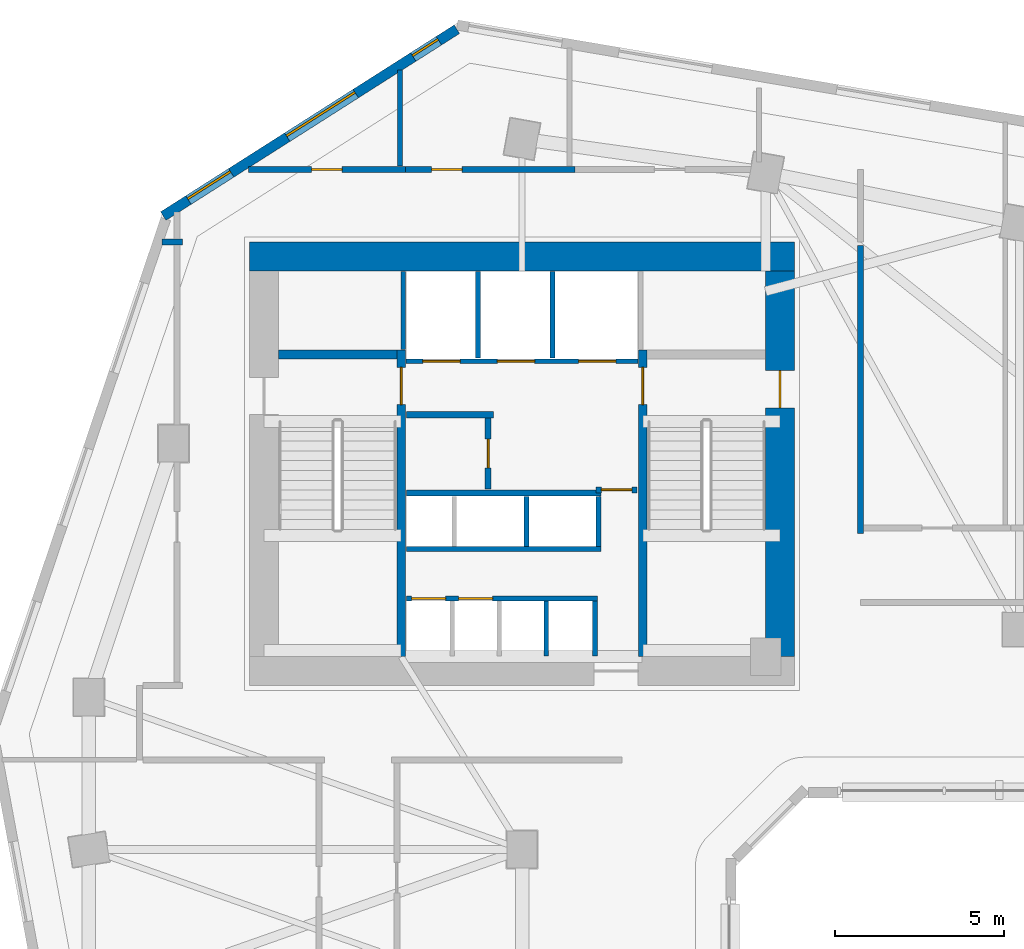
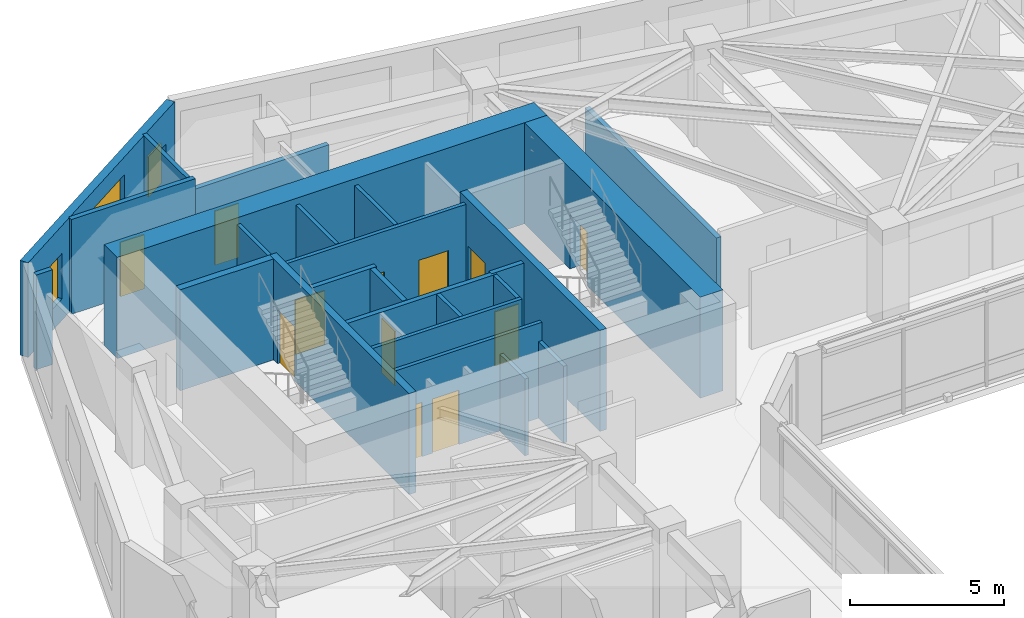
# One storey, part 6 of 11: 25 walls, 12 doors, 3 windows, 15 openings.
"""IFC4 building model written with IfcOpenShell, lengths in metres."""

from ifc_helpers import new_model, si_unit, direction, frame, frame_2d, origin, place, context, subcontext, project, spatial, rectangle, extrude, source, transform, mapped, material, layer, layer_set, type_object, element, fill, save


model = new_model("IFC4")

# Units and contexts
model_context = context("Model", 3, precision=1e-05, world=origin(), true_north=direction((0.0, 1.0)))
body_context = subcontext(model_context, "Body", "Model", "MODEL_VIEW")
ifc_project = project(units=[si_unit("LENGTHUNIT", "METRE"), si_unit("AREAUNIT", "SQUARE_METRE"), si_unit("VOLUMEUNIT", "CUBIC_METRE"), si_unit("PLANEANGLEUNIT", "RADIAN"), si_unit("MASSUNIT", "GRAM", prefix="KILO")], contexts=[model_context])

# Site, building, storey
site_placement = place(None, origin())
site = spatial("IfcSite", under=ifc_project, at=site_placement, CompositionType="ELEMENT")
building_placement = place(site_placement, origin())
building = spatial("IfcBuilding", under=site, at=building_placement, Name="Calvemar Wedge Station Tower", CompositionType="ELEMENT")
storey_placement = place(building_placement, frame((0.0, 0.0, 75.0)))
storey = spatial("IfcBuildingStorey", under=building, at=storey_placement, Name="L18", CompositionType="ELEMENT", Elevation=75.0)

# Wall, opening, door
ifc_material_1 = material(Name="Concrete C50", Category="concrete")
ifc_layer_1 = layer(ifc_material_1, 0.260009765625)
ifc_layer_set_1 = layer_set([ifc_layer_1], Name="Concrete C50")
wall_type_1 = type_object("IfcWallType", Name="SW-CORE-260", PredefinedType="SHEAR", material=ifc_layer_set_1)
wall_1_placement = place(storey_placement, frame((20.22998046875, 34.199951171875, 0.0), z_axis=(0.0, 0.0, 1.0), x_axis=(0.0, 1.0, 0.0)))
wall_1 = element("IfcWall", 1, at=wall_1_placement, inside=storey, type_object=wall_type_1, Name="Storey L18 Core Shear Wall SPINE-W", PredefinedType="SHEAR", context=body_context, shape_type="SweptSolid", body=[
    extrude(rectangle(XDim=9.06005859375, YDim=0.260009765625, at=frame_2d((4.530029296875, 0.0))), origin(), (0.0, 0.0, 1.0), 4.0),
])
shared_shape_1 = source(origin(), body_context, "Body", "SweptSolid", [
    extrude(rectangle(XDim=1.10009765625, YDim=2.14990234375, at=frame_2d((0.550048828125, 1.074951171875))), frame((0.0, 0.14013671875, 0.0), z_axis=(0.0, -1.0, 0.0), x_axis=(1.0, 0.0, 0.0)), (0.0, 0.0, 1.0), 0.280029296875),
])
opening_1_placement = place(wall_1_placement, frame((7.449951171875, 0.0, 0.0)))
opening_1 = element("IfcOpeningElement", 2, at=opening_1_placement, cuts=wall_1, Name="Opening FD-90", PredefinedType="OPENING", context=body_context, shape_type="MappedRepresentation", body=[
    mapped(shared_shape_1, transform((0.0, 0.0, 0.0), scale=1.0)),
])
ifc_material_2 = material(Name="Galvanized fire-rated steel door leaf P-90", Category="steel")
door_type_1 = type_object("IfcDoorType", Name="DR-FD90-1100", OperationType="NOTDEFINED", PredefinedType="DOOR", material=ifc_material_2)
shared_shape_2 = source(origin(), body_context, "Body", "SweptSolid", [
    extrude(rectangle(XDim=1.10009765625, YDim=2.14990234375, at=frame_2d((0.550048828125, 1.074951171875))), frame((0.0, 0.02490234375, 0.0), z_axis=(0.0, -1.0, 0.0), x_axis=(1.0, 0.0, 0.0)), (0.0, 0.0, 1.0), 0.050048828125),
])
door_1_placement = place(opening_1_placement, origin())
door_1 = element("IfcDoor", 3, at=door_1_placement, inside=storey, type_object=door_type_1, Name="L18 FF Lobby to Stair ST-C1 Door", OperationType="SINGLE_SWING_RIGHT", OverallHeight=2.14990234375, OverallWidth=1.10009765625, PredefinedType="DOOR", context=body_context, shape_type="MappedRepresentation", body=[
    mapped(shared_shape_2, transform((0.0, 0.0, 0.0), scale=1.0)),
])
fill(opening_1, door_1)

wall_2_placement = place(storey_placement, frame((27.3701171875, 34.199951171875, 0.0), z_axis=(0.0, 0.0, 1.0), x_axis=(0.0, 1.0, 0.0)))
wall_2 = element("IfcWall", 4, at=wall_2_placement, inside=storey, type_object=wall_type_1, Name="Storey L18 Core Shear Wall SPINE-E", PredefinedType="SHEAR", context=body_context, shape_type="SweptSolid", body=[
    extrude(rectangle(XDim=9.06005859375, YDim=0.260009765625, at=frame_2d((4.530029296875, 0.0))), origin(), (0.0, 0.0, 1.0), 4.0),
])
opening_2_placement = place(wall_2_placement, frame((7.449951171875, 0.0, 0.0)))
opening_2 = element("IfcOpeningElement", 5, at=opening_2_placement, cuts=wall_2, Name="Opening FD-90", PredefinedType="OPENING", context=body_context, shape_type="MappedRepresentation", body=[
    mapped(shared_shape_1, transform((0.0, 0.0, 0.0), scale=1.0)),
])
door_2_placement = place(opening_2_placement, origin())
door_2 = element("IfcDoor", 6, at=door_2_placement, inside=storey, type_object=door_type_1, Name="L18 FF Lobby to Stair ST-C2 Door", OperationType="SINGLE_SWING_LEFT", OverallHeight=2.14990234375, OverallWidth=1.10009765625, PredefinedType="DOOR", context=body_context, shape_type="MappedRepresentation", body=[
    mapped(shared_shape_2, transform((0.0, 0.0, 0.0), scale=1.0)),
])
fill(opening_2, door_2)

# Walls
wall_3_placement = place(storey_placement, frame((16.60009765625, 43.1298828125, 0.0), z_axis=(0.0, 0.0, 1.0), x_axis=(1.0, 0.0, 0.0)))
element("IfcWall", 7, at=wall_3_placement, inside=storey, type_object=wall_type_1, Name="Storey L18 Core Shear Wall STC1-N", PredefinedType="SHEAR", context=body_context, shape_type="SweptSolid", body=[
    extrude(rectangle(XDim=3.5, YDim=0.260009765625, at=frame_2d((1.75, 0.0))), origin(), (0.0, 0.0, 1.0), 4.0),
])
ifc_material_3 = material(Name="Concrete C80", Category="concrete")
ifc_layer_2 = layer(ifc_material_3, 0.85009765625)
ifc_layer_set_2 = layer_set([ifc_layer_2], Name="Concrete C80")
wall_type_2 = type_object("IfcWallType", Name="SW-CORE-850", PredefinedType="SHEAR", material=ifc_layer_set_2)
wall_4_placement = place(storey_placement, frame((15.75, 46.02490234375, 0.0), z_axis=(0.0, 0.0, 1.0), x_axis=(1.0, 0.0, 0.0)))
element("IfcWall", 8, at=wall_4_placement, inside=storey, type_object=wall_type_2, Name="Storey L18 Core Shear Wall N", PredefinedType="SHEAR", context=body_context, shape_type="SweptSolid", body=[
    extrude(rectangle(XDim=16.10009765625, YDim=0.85009765625, at=frame_2d((8.050048828125, 0.0))), origin(), (0.0, 0.0, 1.0), 4.0),
])

# Wall, opening, door
wall_5_placement = place(storey_placement, frame((31.425048828125, 34.199951171875, 0.0), z_axis=(0.0, 0.0, 1.0), x_axis=(0.0, 1.0, 0.0)))
wall_5 = element("IfcWall", 9, at=wall_5_placement, inside=storey, type_object=wall_type_2, Name="Storey L18 Core Shear Wall E", PredefinedType="SHEAR", context=body_context, shape_type="SweptSolid", body=[
    extrude(rectangle(XDim=11.400146484375, YDim=0.85009765625, at=frame_2d((5.7001953125, 0.0))), origin(), (0.0, 0.0, 1.0), 4.0),
])
shared_shape_3 = source(origin(), body_context, "Body", "SweptSolid", [
    extrude(rectangle(XDim=1.10009765625, YDim=2.14990234375, at=frame_2d((0.550048828125, 1.074951171875))), frame((0.0, 0.43505859375, 0.0), z_axis=(0.0, -1.0, 0.0), x_axis=(1.0, 0.0, 0.0)), (0.0, 0.0, 1.0), 0.8701171875),
])
opening_3_placement = place(wall_5_placement, frame((7.35009765625, 0.0, 0.0)))
opening_3 = element("IfcOpeningElement", 10, at=opening_3_placement, cuts=wall_5, Name="Opening FD-90", PredefinedType="OPENING", context=body_context, shape_type="MappedRepresentation", body=[
    mapped(shared_shape_3, transform((0.0, 0.0, 0.0), scale=1.0)),
])
door_3_placement = place(opening_3_placement, origin())
door_3 = element("IfcDoor", 11, at=door_3_placement, inside=storey, type_object=door_type_1, Name="L18 East Corridor to Exit Stair ST-C2 Door", OperationType="SINGLE_SWING_LEFT", OverallHeight=2.14990234375, OverallWidth=1.10009765625, PredefinedType="DOOR", context=body_context, shape_type="MappedRepresentation", body=[
    mapped(shared_shape_2, transform((0.0, 0.0, 0.0), scale=1.0)),
])
fill(opening_3, door_3)

# Wall
ifc_material_4 = material(Name="Double-stud fire-rated corridor partition")
ifc_layer_3 = layer(ifc_material_4, 0.179931640625)
ifc_layer_set_3 = layer_set([ifc_layer_3], Name="Double-stud fire-rated corridor partition")
wall_type_3 = type_object("IfcWallType", Name="W-CORR-180", PredefinedType="PARTITIONING", material=ifc_layer_set_3)
wall_6_placement = place(storey_placement, frame((22.9599609375, 41.35009765625, 0.0), z_axis=(0.0, 0.0, 1.0), x_axis=(-1.0, 0.0, 0.0)))
element("IfcWall", 12, at=wall_6_placement, inside=storey, type_object=wall_type_3, Name="Storey L18 Interior Partition WL-L18-001", PredefinedType="PARTITIONING", context=body_context, shape_type="SweptSolid", body=[
    extrude(rectangle(XDim=2.580078125, YDim=0.179931640625, at=frame_2d((1.2900390625, 0.0))), origin(), (0.0, 0.0, 1.0), 3.75),
])

# Wall, opening, door
wall_7_placement = place(storey_placement, frame((22.800048828125, 41.256103515625, 0.0), z_axis=(0.0, 0.0, 1.0), x_axis=(0.0, -1.0, 0.0)))
wall_7 = element("IfcWall", 13, at=wall_7_placement, inside=storey, type_object=wall_type_3, Name="Storey L18 Interior Partition WL-L18-002", PredefinedType="PARTITIONING", context=body_context, shape_type="SweptSolid", body=[
    extrude(rectangle(XDim=2.106201171875, YDim=0.179931640625, at=frame_2d((1.05322265625, 0.0))), origin(), (0.0, 0.0, 1.0), 3.75),
])
shared_shape_4 = source(origin(), body_context, "Body", "SweptSolid", [
    extrude(rectangle(XDim=0.85009765625, YDim=2.14990234375, at=frame_2d((0.425048828125, 1.074951171875))), frame((0.0, 0.10009765625, 0.0), z_axis=(0.0, -1.0, 0.0), x_axis=(1.0, 0.0, 0.0)), (0.0, 0.0, 1.0), 0.199951171875),
])
opening_4_placement = place(wall_7_placement, frame((0.6279296875, 0.0, 0.0)))
opening_4 = element("IfcOpeningElement", 14, at=opening_4_placement, cuts=wall_7, Name="Opening FD-60S", PredefinedType="OPENING", context=body_context, shape_type="MappedRepresentation", body=[
    mapped(shared_shape_4, transform((0.0, 0.0, 0.0), scale=1.0)),
])
ifc_material_5 = material(Name="Fire-rated steel and hardwood service door EI 60", Category="steel")
door_type_2 = type_object("IfcDoorType", Name="DR-CORE-FD60-850", OperationType="NOTDEFINED", PredefinedType="DOOR", material=ifc_material_5)
shared_shape_5 = source(origin(), body_context, "Body", "SweptSolid", [
    extrude(rectangle(XDim=0.85009765625, YDim=2.14990234375, at=frame_2d((0.425048828125, 1.074951171875))), frame((0.0, 0.02490234375, 0.0), z_axis=(0.0, -1.0, 0.0), x_axis=(1.0, 0.0, 0.0)), (0.0, 0.0, 1.0), 0.050048828125),
])
door_4_placement = place(opening_4_placement, origin())
door_4 = element("IfcDoor", 15, at=door_4_placement, inside=storey, type_object=door_type_2, Name="L18 Core Electrical Switch Room Door", OperationType="SINGLE_SWING_RIGHT", OverallHeight=2.14990234375, OverallWidth=0.85009765625, PredefinedType="DOOR", context=body_context, shape_type="MappedRepresentation", body=[
    mapped(shared_shape_5, transform((0.0, 0.0, 0.0), scale=1.0)),
])
fill(opening_4, door_4)

wall_8_placement = place(storey_placement, frame((27.199951171875, 39.1298828125, 0.0), z_axis=(0.0, 0.0, 1.0), x_axis=(-1.0, 0.0, 0.0)))
wall_8 = element("IfcWall", 16, at=wall_8_placement, inside=storey, type_object=wall_type_3, Name="Storey L18 Interior Partition WL-L18-003", PredefinedType="PARTITIONING", context=body_context, shape_type="SweptSolid", body=[
    extrude(rectangle(XDim=1.2099609375, YDim=0.179931640625, at=frame_2d((0.60498046875, 0.0))), origin(), (0.0, 0.0, 1.0), 3.75),
])
shared_shape_6 = source(origin(), body_context, "Body", "SweptSolid", [
    extrude(rectangle(XDim=0.89990234375, YDim=2.14990234375, at=frame_2d((0.449951171875, 1.074951171875))), frame((0.0, 0.10009765625, 0.0), z_axis=(0.0, -1.0, 0.0), x_axis=(1.0, 0.0, 0.0)), (0.0, 0.0, 1.0), 0.199951171875),
])
opening_5_placement = place(wall_8_placement, frame((0.155029296875, 0.0, 0.0)))
opening_5 = element("IfcOpeningElement", 17, at=opening_5_placement, cuts=wall_8, Name="Opening FD-60", PredefinedType="OPENING", context=body_context, shape_type="MappedRepresentation", body=[
    mapped(shared_shape_6, transform((0.0, 0.0, 0.0), scale=1.0)),
])
ifc_material_6 = material(Name="Fire-rated acoustic timber-core entrance door EI 60", Category="wood")
door_type_3 = type_object("IfcDoorType", Name="DR-FD60-900", OperationType="NOTDEFINED", PredefinedType="DOOR", material=ifc_material_6)
shared_shape_7 = source(origin(), body_context, "Body", "SweptSolid", [
    extrude(rectangle(XDim=0.89990234375, YDim=2.14990234375, at=frame_2d((0.449951171875, 1.074951171875))), frame((0.0, 0.02490234375, 0.0), z_axis=(0.0, -1.0, 0.0), x_axis=(1.0, 0.0, 0.0)), (0.0, 0.0, 1.0), 0.050048828125),
])
door_5_placement = place(opening_5_placement, origin())
door_5 = element("IfcDoor", 18, at=door_5_placement, inside=storey, type_object=door_type_3, Name="L18 Core Service Lobby Door", OperationType="SINGLE_SWING_LEFT", OverallHeight=2.14990234375, OverallWidth=0.89990234375, PredefinedType="DOOR", context=body_context, shape_type="MappedRepresentation", body=[
    mapped(shared_shape_7, transform((0.0, 0.0, 0.0), scale=1.0)),
])
fill(opening_5, door_5)

# Wall
wall_9_placement = place(storey_placement, frame((13.760009765625, 46.449951171875, 0.0), z_axis=(0.0, 0.0, 1.0), x_axis=(-1.0, 0.0, 0.0)))
element("IfcWall", 19, at=wall_9_placement, inside=storey, type_object=wall_type_3, Name="Storey L18 Interior Partition WL-L18-009", PredefinedType="PARTITIONING", context=body_context, shape_type="SweptSolid", body=[
    extrude(rectangle(XDim=0.60107421875, YDim=0.179931640625, at=frame_2d((0.300537109375, 0.0))), origin(), (0.0, 0.0, 1.0), 3.75),
])

# Wall, opening, door
wall_10_placement = place(storey_placement, frame((15.709716796875, 48.60009765625, 0.0), z_axis=(0.0, 0.0, 1.0), x_axis=(1.0, 0.0, 0.0)))
wall_10 = element("IfcWall", 20, at=wall_10_placement, inside=storey, type_object=wall_type_3, Name="Storey L18 Interior Partition WL-L18-010", PredefinedType="PARTITIONING", context=body_context, shape_type="SweptSolid", body=[
    extrude(rectangle(XDim=4.650390625, YDim=0.179931640625, at=frame_2d((2.3251953125, 0.0))), origin(), (0.0, 0.0, 1.0), 3.75),
])
opening_6_placement = place(wall_10_placement, frame((1.875, 0.0, 0.0)))
opening_6 = element("IfcOpeningElement", 21, at=opening_6_placement, cuts=wall_10, Name="Opening D-01", PredefinedType="OPENING", context=body_context, shape_type="MappedRepresentation", body=[
    mapped(shared_shape_6, transform((0.0, 0.0, 0.0), scale=1.0)),
])
ifc_material_7 = material(Name="Architectural hardwood acoustic swing door", Category="wood")
door_type_4 = type_object("IfcDoorType", Name="DR-INT-900", OperationType="NOTDEFINED", PredefinedType="DOOR", material=ifc_material_7)
shared_shape_8 = source(origin(), body_context, "Body", "SweptSolid", [
    extrude(rectangle(XDim=0.89990234375, YDim=2.14990234375, at=frame_2d((0.449951171875, 1.074951171875))), frame((0.0, 0.02490234375, 0.0), z_axis=(0.0, -1.0, 0.0), x_axis=(1.0, 0.0, 0.0)), (0.0, 0.0, 1.0), 0.050048828125),
])
door_6_placement = place(opening_6_placement, origin())
door_6 = element("IfcDoor", 22, at=door_6_placement, inside=storey, type_object=door_type_4, Name="L18 Male Toilet Door", OperationType="SINGLE_SWING_LEFT", OverallHeight=2.14990234375, OverallWidth=0.89990234375, PredefinedType="DOOR", context=body_context, shape_type="MappedRepresentation", body=[
    mapped(shared_shape_8, transform((0.0, 0.0, 0.0), scale=1.0)),
])
fill(opening_6, door_6)

wall_11_placement = place(storey_placement, frame((20.362060546875, 48.60009765625, 0.0), z_axis=(0.0, 0.0, 1.0), x_axis=(1.0, 0.0, 0.0)))
wall_11 = element("IfcWall", 23, at=wall_11_placement, inside=storey, type_object=wall_type_3, Name="Storey L18 Interior Partition WL-L18-011", PredefinedType="PARTITIONING", context=body_context, shape_type="SweptSolid", body=[
    extrude(rectangle(XDim=4.998046875, YDim=0.179931640625, at=frame_2d((2.4990234375, 0.0))), origin(), (0.0, 0.0, 1.0), 3.3349609375),
])
opening_7_placement = place(wall_11_placement, frame((0.76806640625, 0.0, 0.0)))
opening_7 = element("IfcOpeningElement", 24, at=opening_7_placement, cuts=wall_11, Name="Opening D-01", PredefinedType="OPENING", context=body_context, shape_type="MappedRepresentation", body=[
    mapped(shared_shape_6, transform((0.0, 0.0, 0.0), scale=1.0)),
])
door_7_placement = place(opening_7_placement, origin())
door_7 = element("IfcDoor", 25, at=door_7_placement, inside=storey, type_object=door_type_4, Name="L18 Pantry Door", OperationType="SINGLE_SWING_RIGHT", OverallHeight=2.14990234375, OverallWidth=0.89990234375, PredefinedType="DOOR", context=body_context, shape_type="MappedRepresentation", body=[
    mapped(shared_shape_8, transform((0.0, 0.0, 0.0), scale=1.0)),
])
fill(opening_7, door_7)

# Wall
wall_12_placement = place(storey_placement, frame((33.800048828125, 46.35595703125, 0.0), z_axis=(0.0, 0.0, 1.0), x_axis=(0.0, -1.0, 0.0)))
element("IfcWall", 26, at=wall_12_placement, inside=storey, type_object=wall_type_3, Name="Storey L18 Interior Partition WL-L18-014", PredefinedType="PARTITIONING", context=body_context, shape_type="SweptSolid", body=[
    extrude(rectangle(XDim=8.515869140625, YDim=0.179931640625, at=frame_2d((4.2578125, 0.0))), origin(), (0.0, 0.0, 1.0), 3.18798828125),
])

# Wall, openings, windows
ifc_material_8 = material(Name="Precast concrete C45", Category="concrete")
ifc_layer_4 = layer(ifc_material_8, 0.300048828125)
ifc_layer_set_4 = layer_set([ifc_layer_4], Name="Precast concrete C45")
wall_type_4 = type_object("IfcWallType", Name="W-EXT-GFRC-300", PredefinedType="SOLIDWALL", material=ifc_layer_set_4)
wall_13_placement = place(storey_placement, frame((21.874755859375, 52.742431640625, 0.0), z_axis=(0.0, 0.0, 1.0), x_axis=(-0.843662465249, -0.536873956092, 0.0)))
wall_13 = element("IfcWall", 27, at=wall_13_placement, inside=storey, type_object=wall_type_4, Name="Storey L18 Bronze GFRC Exterior Wall 11", PredefinedType="SOLIDWALL", context=body_context, shape_type="SweptSolid", body=[
    extrude(rectangle(XDim=10.283935546875, YDim=0.300048828125, at=frame_2d((5.14208984375, 0.0))), origin(), (0.0, 0.0, 1.0), 3.75),
])
shared_shape_9 = source(origin(), body_context, "Body", "SweptSolid", [
    extrude(rectangle(XDim=0.89990234375, YDim=1.60009765625, at=frame_2d((0.449951171875, 0.800048828125))), frame((0.0, 0.16015625, 0.0), z_axis=(0.0, -1.0, 0.0), x_axis=(1.0, 0.0, 0.0)), (0.0, 0.0, 1.0), 0.320068359375),
])
opening_8_placement = place(wall_13_placement, frame((0.62890625, 0.0, 0.85009765625)))
opening_8 = element("IfcOpeningElement", 28, at=opening_8_placement, cuts=wall_13, Name="Opening W7", PredefinedType="OPENING", context=body_context, shape_type="MappedRepresentation", body=[
    mapped(shared_shape_9, transform((0.0, 0.0, 0.0), scale=1.0)),
])
shared_shape_10 = source(origin(), body_context, "Body", "SweptSolid", [
    extrude(rectangle(XDim=2.39990234375, YDim=2.199951171875, at=frame_2d((1.199951171875, 1.10009765625))), frame((0.0, 0.16015625, 0.0), z_axis=(0.0, -1.0, 0.0), x_axis=(1.0, 0.0, 0.0)), (0.0, 0.0, 1.0), 0.320068359375),
])
opening_9_placement = place(wall_13_placement, frame((3.5419921875, 0.0, 0.85009765625)))
opening_9 = element("IfcOpeningElement", 29, at=opening_9_placement, cuts=wall_13, Name="Opening W1", PredefinedType="OPENING", context=body_context, shape_type="MappedRepresentation", body=[
    mapped(shared_shape_10, transform((0.0, 0.0, 0.0), scale=1.0)),
])
shared_shape_11 = source(origin(), body_context, "Body", "SweptSolid", [
    extrude(rectangle(XDim=1.5, YDim=1.800048828125, at=frame_2d((0.75, 0.89990234375))), frame((0.0, 0.16015625, 0.0), z_axis=(0.0, -1.0, 0.0), x_axis=(1.0, 0.0, 0.0)), (0.0, 0.0, 1.0), 0.320068359375),
])
opening_10_placement = place(wall_13_placement, frame((7.903076171875, 0.0, 0.85009765625)))
opening_10 = element("IfcOpeningElement", 30, at=opening_10_placement, cuts=wall_13, Name="Opening W3", PredefinedType="OPENING", context=body_context, shape_type="MappedRepresentation", body=[
    mapped(shared_shape_11, transform((0.0, 0.0, 0.0), scale=1.0)),
])
ifc_material_9 = material(Name="Low-E laminated insulated glass", Category="glass")
window_type_1 = type_object("IfcWindowType", Name="WIN-EXT-1", PartitioningType="SINGLE_PANEL", PredefinedType="WINDOW", material=ifc_material_9)
shared_shape_12 = source(origin(), body_context, "Body", "SweptSolid", [
    extrude(rectangle(XDim=2.39990234375, YDim=2.199951171875, at=frame_2d((1.199951171875, 1.10009765625))), frame((0.0, -0.014892578125, 0.0), z_axis=(0.0, -1.0, 0.0), x_axis=(1.0, 0.0, 0.0)), (0.0, 0.0, 1.0), 0.06005859375),
])
window_1_placement = place(opening_9_placement, origin())
window_1 = element("IfcWindow", 31, at=window_1_placement, inside=storey, type_object=window_type_1, Name="Storey L18 Recessed Window 11.2", OverallHeight=2.199951171875, OverallWidth=2.39990234375, PartitioningType="SINGLE_PANEL", PredefinedType="WINDOW", context=body_context, shape_type="MappedRepresentation", body=[
    mapped(shared_shape_12, transform((0.0, 0.0, 0.0), scale=1.0)),
])
fill(opening_9, window_1)
window_type_2 = type_object("IfcWindowType", Name="WIN-EXT-3", PartitioningType="SINGLE_PANEL", PredefinedType="WINDOW", material=ifc_material_9)
shared_shape_13 = source(origin(), body_context, "Body", "SweptSolid", [
    extrude(rectangle(XDim=1.5, YDim=1.800048828125, at=frame_2d((0.75, 0.89990234375))), frame((0.0, -0.014892578125, 0.0), z_axis=(0.0, -1.0, 0.0), x_axis=(1.0, 0.0, 0.0)), (0.0, 0.0, 1.0), 0.06005859375),
])
window_2_placement = place(opening_10_placement, origin())
window_2 = element("IfcWindow", 32, at=window_2_placement, inside=storey, type_object=window_type_2, Name="Storey L18 Recessed Window 11.3", OverallHeight=1.800048828125, OverallWidth=1.5, PartitioningType="SINGLE_PANEL", PredefinedType="WINDOW", context=body_context, shape_type="MappedRepresentation", body=[
    mapped(shared_shape_13, transform((0.0, 0.0, 0.0), scale=1.0)),
])
fill(opening_10, window_2)
window_type_3 = type_object("IfcWindowType", Name="WIN-EXT-7", PartitioningType="SINGLE_PANEL", PredefinedType="WINDOW", material=ifc_material_9)
shared_shape_14 = source(origin(), body_context, "Body", "SweptSolid", [
    extrude(rectangle(XDim=0.89990234375, YDim=1.60009765625, at=frame_2d((0.449951171875, 0.800048828125))), frame((0.0, -0.014892578125, 0.0), z_axis=(0.0, -1.0, 0.0), x_axis=(1.0, 0.0, 0.0)), (0.0, 0.0, 1.0), 0.06005859375),
])
window_3_placement = place(opening_8_placement, origin())
window_3 = element("IfcWindow", 33, at=window_3_placement, inside=storey, type_object=window_type_3, Name="Storey L18 Recessed Window 11.1", OverallHeight=1.60009765625, OverallWidth=0.89990234375, PartitioningType="SINGLE_PANEL", PredefinedType="WINDOW", context=body_context, shape_type="MappedRepresentation", body=[
    mapped(shared_shape_14, transform((0.0, 0.0, 0.0), scale=1.0)),
])
fill(opening_8, window_3)

# Wall, openings, doors
ifc_material_10 = material(Name="Reinforced concrete blockwork lift shaft wall", Category="masonry")
ifc_layer_5 = layer(ifc_material_10, 0.139892578125)
ifc_layer_set_5 = layer_set([ifc_layer_5], Name="Reinforced concrete blockwork lift shaft wall")
wall_type_5 = type_object("IfcWallType", Name="W-LIFT-160", PredefinedType="SOLIDWALL", material=ifc_layer_set_5)
wall_14_placement = place(storey_placement, frame((20.3701171875, 42.929931640625, 0.0), z_axis=(0.0, 0.0, 1.0), x_axis=(1.0, 0.0, 0.0)))
wall_14 = element("IfcWall", 34, at=wall_14_placement, inside=storey, type_object=wall_type_5, Name="Storey L18 Firefighting and Service Lift Shaft Front Wall", PredefinedType="SOLIDWALL", context=body_context, shape_type="SweptSolid", body=[
    extrude(rectangle(XDim=6.85986328125, YDim=0.139892578125, at=frame_2d((3.429931640625, 0.0))), origin(), (0.0, 0.0, 1.0), 3.75),
])
shared_shape_15 = source(origin(), body_context, "Body", "SweptSolid", [
    extrude(rectangle(XDim=1.10009765625, YDim=2.14990234375, at=frame_2d((0.550048828125, 1.074951171875))), frame((0.0, 0.080078125, 0.0), z_axis=(0.0, -1.0, 0.0), x_axis=(1.0, 0.0, 0.0)), (0.0, 0.0, 1.0), 0.159912109375),
])
opening_11_placement = place(wall_14_placement, frame((0.5, 0.0, 0.0)))
opening_11 = element("IfcOpeningElement", 35, at=opening_11_placement, cuts=wall_14, Name="Opening LD-FF", PredefinedType="OPENING", context=body_context, shape_type="MappedRepresentation", body=[
    mapped(shared_shape_15, transform((0.0, 0.0, 0.0), scale=1.0)),
])
opening_12_placement = place(wall_14_placement, frame((2.699951171875, 0.0, 0.0)))
opening_12 = element("IfcOpeningElement", 36, at=opening_12_placement, cuts=wall_14, Name="Opening LD-FF", PredefinedType="OPENING", context=body_context, shape_type="MappedRepresentation", body=[
    mapped(shared_shape_15, transform((0.0, 0.0, 0.0), scale=1.0)),
])
opening_13_placement = place(wall_14_placement, frame((5.10009765625, 0.0, 0.0)))
opening_13 = element("IfcOpeningElement", 37, at=opening_13_placement, cuts=wall_14, Name="Opening LD-STN", PredefinedType="OPENING", context=body_context, shape_type="MappedRepresentation", body=[
    mapped(shared_shape_15, transform((0.0, 0.0, 0.0), scale=1.0)),
])
ifc_material_11 = material(Name="Stainless steel firefighting lift sliding landing door", Category="steel")
door_type_5 = type_object("IfcDoorType", Name="DR-LD-FF-1100", OperationType="SLIDING_TO_LEFT", PredefinedType="DOOR", material=ifc_material_11)
shared_shape_16 = source(origin(), body_context, "Body", "SweptSolid", [
    extrude(rectangle(XDim=1.10009765625, YDim=2.14990234375, at=frame_2d((0.550048828125, 1.074951171875))), frame((0.0, 0.02490234375, 0.0), z_axis=(0.0, -1.0, 0.0), x_axis=(1.0, 0.0, 0.0)), (0.0, 0.0, 1.0), 0.050048828125),
])
door_8_placement = place(opening_11_placement, origin())
door_8 = element("IfcDoor", 38, at=door_8_placement, inside=storey, type_object=door_type_5, Name="L18 Lift FF-01 Sliding Landing Door", OperationType="SLIDING_TO_LEFT", OverallHeight=2.14990234375, OverallWidth=1.10009765625, PredefinedType="DOOR", context=body_context, shape_type="MappedRepresentation", body=[
    mapped(shared_shape_16, transform((0.0, 0.0, 0.0), scale=1.0)),
])
fill(opening_11, door_8)
door_9_placement = place(opening_12_placement, origin())
door_9 = element("IfcDoor", 39, at=door_9_placement, inside=storey, type_object=door_type_5, Name="L18 Lift FF-02 Sliding Landing Door", OperationType="SLIDING_TO_RIGHT", OverallHeight=2.14990234375, OverallWidth=1.10009765625, PredefinedType="DOOR", context=body_context, shape_type="MappedRepresentation", body=[
    mapped(shared_shape_16, transform((0.0, 0.0, 0.0), scale=1.0)),
])
fill(opening_12, door_9)
ifc_material_12 = material(Name="Stainless steel transit lift sliding landing door", Category="steel")
door_type_6 = type_object("IfcDoorType", Name="DR-LD-PAX-1100", OperationType="SLIDING_TO_LEFT", PredefinedType="DOOR", material=ifc_material_12)
shared_shape_17 = source(origin(), body_context, "Body", "SweptSolid", [
    extrude(rectangle(XDim=1.10009765625, YDim=2.14990234375, at=frame_2d((0.550048828125, 1.074951171875))), frame((0.0, 0.02490234375, 0.0), z_axis=(0.0, -1.0, 0.0), x_axis=(1.0, 0.0, 0.0)), (0.0, 0.0, 1.0), 0.050048828125),
])
door_10_placement = place(opening_13_placement, origin())
door_10 = element("IfcDoor", 40, at=door_10_placement, inside=storey, type_object=door_type_6, Name="L18 Lift SV-01 Sliding Landing Door", OperationType="SLIDING_TO_LEFT", OverallHeight=2.14990234375, OverallWidth=1.10009765625, PredefinedType="DOOR", context=body_context, shape_type="MappedRepresentation", body=[
    mapped(shared_shape_17, transform((0.0, 0.0, 0.0), scale=1.0)),
])
fill(opening_13, door_10)

# Walls
wall_15_placement = place(storey_placement, frame((20.2900390625, 43.280029296875, 0.0), z_axis=(0.0, 0.0, 1.0), x_axis=(0.0, 1.0, 0.0)))
element("IfcWall", 41, at=wall_15_placement, inside=storey, type_object=wall_type_5, Name="Storey L18 Firefighting Lift Shaft Enclosure Wall W", PredefinedType="SOLIDWALL", context=body_context, shape_type="SweptSolid", body=[
    extrude(rectangle(XDim=2.300048828125, YDim=0.139892578125, at=frame_2d((1.14990234375, 0.0))), origin(), (0.0, 0.0, 1.0), 3.75),
])
for number, where, z_axis, x_axis, name in (
    (42, (22.5, 43.02001953125, 0.0), (0.0, 0.0, 1.0), (0.0, 1.0, 0.0), "Storey L18 Firefighting Lift Shaft Enclosure Wall D1"),
    (43, (24.699951171875, 43.02001953125, 0.0), (0.0, 0.0, 1.0), (0.0, 1.0, 0.0), "Storey L18 Firefighting Lift Shaft Enclosure Wall D2"),
):
    element("IfcWall", number, at=place(storey_placement, frame(where, z_axis=z_axis, x_axis=x_axis)), inside=storey, type_object=wall_type_5, Name=name, PredefinedType="SOLIDWALL", context=body_context, shape_type="SweptSolid", body=[
        extrude(rectangle(XDim=2.56005859375, YDim=0.139892578125, at=frame_2d((1.280029296875, 0.0))), origin(), (0.0, 0.0, 1.0), 3.75),
    ])

# Wall, openings, doors
wall_16_placement = place(storey_placement, frame((20.3798828125, 35.919921875, 0.0), z_axis=(0.0, 0.0, 1.0), x_axis=(1.0, 0.0, 0.0)))
wall_16 = element("IfcWall", 44, at=wall_16_placement, inside=storey, type_object=wall_type_5, Name="Storey L18 South Passenger Lift Bank Front Wall", PredefinedType="SOLIDWALL", context=body_context, shape_type="SweptSolid", body=[
    extrude(rectangle(XDim=5.650146484375, YDim=0.139892578125, at=frame_2d((2.8251953125, 0.0))), origin(), (0.0, 0.0, 1.0), 3.75),
])
shared_shape_18 = source(origin(), body_context, "Body", "SweptSolid", [
    extrude(rectangle(XDim=1.0, YDim=2.14990234375, at=frame_2d((0.5, 1.074951171875))), frame((0.0, 0.080078125, 0.0), z_axis=(0.0, -1.0, 0.0), x_axis=(1.0, 0.0, 0.0)), (0.0, 0.0, 1.0), 0.159912109375),
])
opening_14_placement = place(wall_16_placement, frame((0.159912109375, 0.0, 0.0)))
opening_14 = element("IfcOpeningElement", 45, at=opening_14_placement, cuts=wall_16, Name="Opening LD-PAX", PredefinedType="OPENING", context=body_context, shape_type="MappedRepresentation", body=[
    mapped(shared_shape_18, transform((0.0, 0.0, 0.0), scale=1.0)),
])
opening_15_placement = place(wall_16_placement, frame((1.550048828125, 0.0, 0.0)))
opening_15 = element("IfcOpeningElement", 46, at=opening_15_placement, cuts=wall_16, Name="Opening LD-PAX", PredefinedType="OPENING", context=body_context, shape_type="MappedRepresentation", body=[
    mapped(shared_shape_18, transform((0.0, 0.0, 0.0), scale=1.0)),
])
ifc_material_13 = material(Name="Anodised bronze passenger lift sliding landing door")
door_type_7 = type_object("IfcDoorType", Name="DR-LD-PAX-1000", OperationType="SLIDING_TO_LEFT", PredefinedType="DOOR", material=ifc_material_13)
shared_shape_19 = source(origin(), body_context, "Body", "SweptSolid", [
    extrude(rectangle(XDim=1.0, YDim=2.14990234375, at=frame_2d((0.5, 1.074951171875))), frame((0.0, 0.02490234375, 0.0), z_axis=(0.0, -1.0, 0.0), x_axis=(1.0, 0.0, 0.0)), (0.0, 0.0, 1.0), 0.050048828125),
])
door_11_placement = place(opening_14_placement, origin())
door_11 = element("IfcDoor", 47, at=door_11_placement, inside=storey, type_object=door_type_7, Name="L18 Lift OL-01 Sliding Landing Door", OperationType="SLIDING_TO_LEFT", OverallHeight=2.14990234375, OverallWidth=1.0, PredefinedType="DOOR", context=body_context, shape_type="MappedRepresentation", body=[
    mapped(shared_shape_19, transform((0.0, 0.0, 0.0), scale=1.0)),
])
fill(opening_14, door_11)
door_12_placement = place(opening_15_placement, origin())
door_12 = element("IfcDoor", 48, at=door_12_placement, inside=storey, type_object=door_type_7, Name="L18 Lift OL-02 Sliding Landing Door", OperationType="SLIDING_TO_RIGHT", OverallHeight=2.14990234375, OverallWidth=1.0, PredefinedType="DOOR", context=body_context, shape_type="MappedRepresentation", body=[
    mapped(shared_shape_19, transform((0.0, 0.0, 0.0), scale=1.0)),
])
fill(opening_15, door_12)

# Walls
for number, where, z_axis, x_axis, name in (
    (49, (25.9599609375, 34.219970703125, 0.0), (0.0, 0.0, 1.0), (0.0, 1.0, 0.0), "Storey L18 South Passenger Lift Shaft Wall E"),
    (50, (24.514892578125, 34.219970703125, 0.0), (0.0, 0.0, 1.0), (0.0, 1.0, 0.0), "Storey L18 South Passenger Lift Shaft Wall D3"),
):
    element("IfcWall", number, at=place(storey_placement, frame(where, z_axis=z_axis, x_axis=x_axis)), inside=storey, type_object=wall_type_5, Name=name, PredefinedType="SOLIDWALL", context=body_context, shape_type="SweptSolid", body=[
        extrude(rectangle(XDim=1.6201171875, YDim=0.139892578125, at=frame_2d((0.81005859375, 0.0))), origin(), (0.0, 0.0, 1.0), 3.0419921875),
    ])
wall_17_placement = place(storey_placement, frame((20.3798828125, 37.3798828125, 0.0), z_axis=(0.0, 0.0, 1.0), x_axis=(1.0, 0.0, 0.0)))
element("IfcWall", 51, at=wall_17_placement, inside=storey, type_object=wall_type_5, Name="Storey L18 Upper Passenger Lift Bank Front Wall", PredefinedType="SOLIDWALL", context=body_context, shape_type="SweptSolid", body=[
    extrude(rectangle(XDim=5.75, YDim=0.139892578125, at=frame_2d((2.875, 0.0))), origin(), (0.0, 0.0, 1.0), 3.75),
])
for number, where, z_axis, x_axis, name in (
    (52, (26.06005859375, 37.4599609375, 0.0), (0.0, 0.0, 1.0), (0.0, 1.0, 0.0), "Storey L18 Upper Passenger Lift Shaft Wall E"),
    (53, (23.93505859375, 37.4599609375, 0.0), (0.0, 0.0, 1.0), (0.0, 1.0, 0.0), "Storey L18 Upper Passenger Lift Shaft Wall D2"),
):
    element("IfcWall", number, at=place(storey_placement, frame(where, z_axis=z_axis, x_axis=x_axis)), inside=storey, type_object=wall_type_5, Name=name, PredefinedType="SOLIDWALL", context=body_context, shape_type="SweptSolid", body=[
        extrude(rectangle(XDim=1.47998046875, YDim=0.139892578125, at=frame_2d((0.739990234375, 0.0))), origin(), (0.0, 0.0, 1.0), 3.75),
    ])
ifc_material_14 = material(Name="Concrete blockwork and fireboard shaft wall", Category="masonry")
ifc_layer_6 = layer(ifc_material_14, 0.199951171875)
ifc_layer_set_6 = layer_set([ifc_layer_6], Name="Concrete blockwork and fireboard shaft wall")
wall_type_6 = type_object("IfcWallType", Name="W-SHAFT-200", PredefinedType="SOLIDWALL", material=ifc_layer_set_6)
wall_18_placement = place(storey_placement, frame((20.3798828125, 39.0400390625, 0.0), z_axis=(0.0, 0.0, 1.0), x_axis=(1.0, 0.0, 0.0)))
element("IfcWall", 54, at=wall_18_placement, inside=storey, type_object=wall_type_6, Name="Storey L18 Upper Passenger Lift Bank Rear Shaft Wall", PredefinedType="SOLIDWALL", context=body_context, shape_type="SweptSolid", body=[
    extrude(rectangle(XDim=5.75, YDim=0.179931640625, at=frame_2d((2.875, 0.0))), origin(), (0.0, 0.0, 1.0), 3.75),
])
ifc_material_15 = material(Name="Moisture-resistant acoustic bathroom partition")
ifc_layer_7 = layer(ifc_material_15, 0.14990234375)
ifc_layer_set_7 = layer_set([ifc_layer_7], Name="Moisture-resistant acoustic bathroom partition")
wall_type_7 = type_object("IfcWallType", Name="W-WET-150", PredefinedType="PARTITIONING", material=ifc_layer_set_7)
wall_19_placement = place(storey_placement, frame((20.199951171875, 51.540283203125, 0.0), z_axis=(0.0, 0.0, 1.0), x_axis=(0.0, -1.0, 0.0)))
element("IfcWall", 55, at=wall_19_placement, inside=storey, type_object=wall_type_7, Name="Storey L18 Interior Partition WL-L18-016", PredefinedType="PARTITIONING", context=body_context, shape_type="SweptSolid", body=[
    extrude(rectangle(XDim=2.84619140625, YDim=0.14990234375, at=frame_2d((1.423095703125, 0.0))), origin(), (0.0, 0.0, 1.0), 3.75),
])

save(model, "model.ifc")
